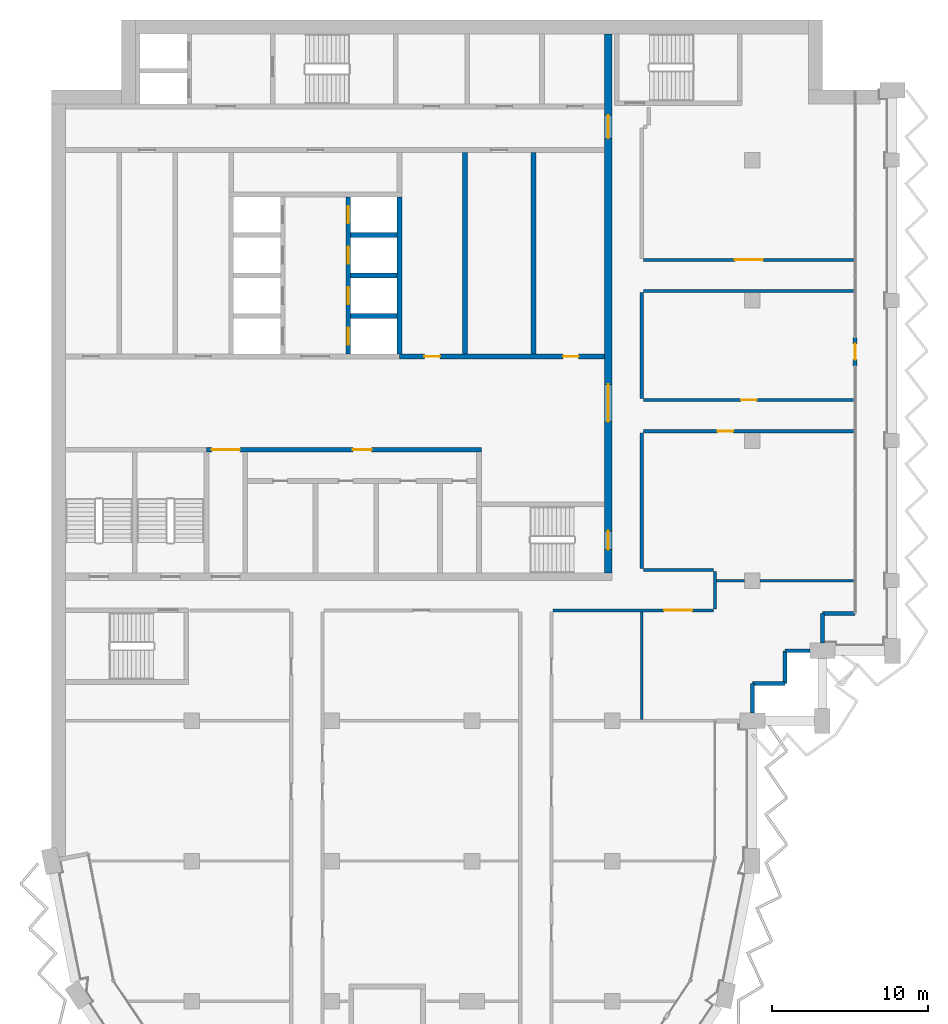
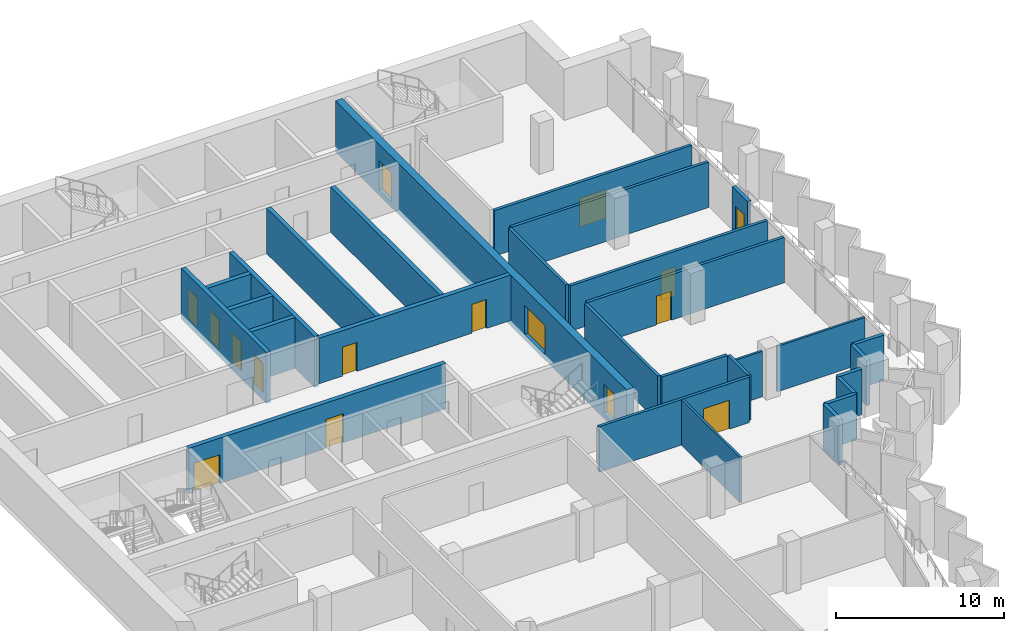
# One storey, part 9 of 16: 29 walls, 16 doors, 16 openings.
"""IFC4 building model written with IfcOpenShell, lengths in metres."""

from ifc_helpers import new_model, si_unit, direction, frame, frame_2d, origin, place, context, subcontext, project, spatial, rectangle, extrude, material, layer, layer_set, type_object, element, fill, save


model = new_model("IFC4")

# Units and contexts
model_context = context("Model", 3, precision=1e-05, world=origin(), true_north=direction((0.0, 1.0)))
body_context = subcontext(model_context, "Body", "Model", "MODEL_VIEW")
ifc_project = project(units=[si_unit("LENGTHUNIT", "METRE"), si_unit("AREAUNIT", "SQUARE_METRE"), si_unit("VOLUMEUNIT", "CUBIC_METRE"), si_unit("PLANEANGLEUNIT", "RADIAN"), si_unit("MASSUNIT", "GRAM", prefix="KILO")], contexts=[model_context])

# Site, building, storey
site_placement = place(None, origin())
site = spatial("IfcSite", under=ifc_project, at=site_placement, CompositionType="ELEMENT")
building_placement = place(site_placement, origin())
building = spatial("IfcBuilding", under=site, at=building_placement, Name="Hunhe Ridgeline Campus", CompositionType="ELEMENT")
storey_placement = place(building_placement, frame((0.0, 0.0, 242.89990234375)))
storey = spatial("IfcBuildingStorey", under=building, at=storey_placement, Name="L62", CompositionType="ELEMENT", Elevation=242.89990234375)

# Wall, openings, doors
ifc_material_1 = material(Name="Masonry concrete blockwork", Category="masonry")
ifc_layer_1 = layer(ifc_material_1, 0.300048828125)
ifc_layer_set_1 = layer_set([ifc_layer_1], Name="Core room partition 300 concrete block")
wall_type_1 = type_object("IfcWallType", Name="Core room partition 300 concrete block", PredefinedType="PARTITIONING", material=ifc_layer_set_1)
wall_1_placement = place(storey_placement, frame((9.949951171875, 71.39990234375, 0.0), z_axis=(0.0, 0.0, 1.0), x_axis=(1.0, 0.0, 0.0)))
wall_1 = element("IfcWall", 1, at=wall_1_placement, inside=storey, type_object=wall_type_1, Name="L62 core partition 9", PredefinedType="PARTITIONING", context=body_context, shape_type="SweptSolid", body=[
    extrude(rectangle(XDim=17.650146484375, YDim=0.300048828125, at=frame_2d((8.8251953125, 0.0))), origin(), (0.0, 0.0, 1.0), 3.300048828125),
])
opening_1_placement = place(wall_1_placement, frame((0.35009765625, 0.0, 0.0)))
opening_1 = element("IfcOpeningElement", 2, at=opening_1_placement, cuts=wall_1, Name="Opening CD7", PredefinedType="OPENING", context=body_context, shape_type="SweptSolid", body=[
    extrude(rectangle(XDim=1.800048828125, YDim=2.10009765625, at=frame_2d((0.89990234375, 1.050048828125))), frame((0.0, 0.14990234375, 0.0), z_axis=(0.0, -1.0, 0.0), x_axis=(1.0, 0.0, 0.0)), (0.0, 0.0, 1.0), 0.300048828125),
])
opening_2_placement = place(wall_1_placement, frame((9.39990234375, 0.0, 0.0)))
opening_2 = element("IfcOpeningElement", 3, at=opening_2_placement, cuts=wall_1, Name="Opening CD12", PredefinedType="OPENING", context=body_context, shape_type="SweptSolid", body=[
    extrude(rectangle(XDim=1.199951171875, YDim=2.10009765625, at=frame_2d((0.60009765625, 1.050048828125))), frame((0.0, 0.14990234375, 0.0), z_axis=(0.0, -1.0, 0.0), x_axis=(1.0, 0.0, 0.0)), (0.0, 0.0, 1.0), 0.300048828125),
])
ifc_material_2 = material(Name="Anodised aluminium and glass", Category="aluminium")
door_type_1 = type_object("IfcDoorType", Name="Glazed double door 1800x2100", OperationType="DOUBLE_DOOR_SINGLE_SWING", PredefinedType="DOOR", material=ifc_material_2)
door_1_placement = place(opening_1_placement, origin())
door_1 = element("IfcDoor", 4, at=door_1_placement, inside=storey, type_object=door_type_1, Name="L62 door VEST-HALL", OperationType="DOUBLE_DOOR_SINGLE_SWING", OverallHeight=2.10009765625, OverallWidth=1.800048828125, PredefinedType="DOOR", context=body_context, shape_type="SweptSolid", body=[
    extrude(rectangle(XDim=1.800048828125, YDim=2.10009765625, at=frame_2d((0.89990234375, 1.050048828125))), frame((0.0, 0.02490234375, 0.0), z_axis=(0.0, -1.0, 0.0), x_axis=(1.0, 0.0, 0.0)), (0.0, 0.0, 1.0), 0.050048828125),
])
fill(opening_1, door_1)
ifc_material_3 = material(Name="Solid core timber door leaf", Category="wood")
door_type_2 = type_object("IfcDoorType", Name="Timber door 1200x2100", OperationType="SINGLE_SWING_LEFT", PredefinedType="DOOR", material=ifc_material_3)
door_2_placement = place(opening_2_placement, origin())
door_2 = element("IfcDoor", 5, at=door_2_placement, inside=storey, type_object=door_type_2, Name="L62 door WCL2-HALL", OperationType="SINGLE_SWING_RIGHT", OverallHeight=2.10009765625, OverallWidth=1.199951171875, PredefinedType="DOOR", context=body_context, shape_type="SweptSolid", body=[
    extrude(rectangle(XDim=1.199951171875, YDim=2.10009765625, at=frame_2d((0.60009765625, 1.050048828125))), frame((0.0, 0.02490234375, 0.0), z_axis=(0.0, -1.0, 0.0), x_axis=(1.0, 0.0, 0.0)), (0.0, 0.0, 1.0), 0.050048828125),
])
fill(opening_2, door_2)

wall_2_placement = place(storey_placement, frame((22.35009765625, 77.39990234375, 0.0), z_axis=(0.0, 0.0, 1.0), x_axis=(1.0, 0.0, 0.0)))
wall_2 = element("IfcWall", 6, at=wall_2_placement, inside=storey, type_object=wall_type_1, Name="L62 core partition 11", PredefinedType="PARTITIONING", context=body_context, shape_type="SweptSolid", body=[
    extrude(rectangle(XDim=13.14990234375, YDim=0.300048828125, at=frame_2d((6.574951171875, 0.0))), origin(), (0.0, 0.0, 1.0), 3.300048828125),
])
opening_3_placement = place(wall_2_placement, frame((1.60009765625, 0.0, 0.0)))
opening_3 = element("IfcOpeningElement", 7, at=opening_3_placement, cuts=wall_2, Name="Opening CD32", PredefinedType="OPENING", context=body_context, shape_type="SweptSolid", body=[
    extrude(rectangle(XDim=1.0, YDim=2.10009765625, at=frame_2d((0.5, 1.050048828125))), frame((0.0, 0.14990234375, 0.0), z_axis=(0.0, -1.0, 0.0), x_axis=(1.0, 0.0, 0.0)), (0.0, 0.0, 1.0), 0.300048828125),
])
opening_4_placement = place(wall_2_placement, frame((10.5, 0.0, 0.0)))
opening_4 = element("IfcOpeningElement", 8, at=opening_4_placement, cuts=wall_2, Name="Opening CD42", PredefinedType="OPENING", context=body_context, shape_type="SweptSolid", body=[
    extrude(rectangle(XDim=1.0, YDim=2.10009765625, at=frame_2d((0.5, 1.050048828125))), frame((0.0, 0.14990234375, 0.0), z_axis=(0.0, -1.0, 0.0), x_axis=(1.0, 0.0, 0.0)), (0.0, 0.0, 1.0), 0.300048828125),
])
door_type_3 = type_object("IfcDoorType", Name="Timber door 1000x2100", OperationType="SINGLE_SWING_LEFT", PredefinedType="DOOR", material=ifc_material_3)
door_3_placement = place(opening_3_placement, origin())
door_3 = element("IfcDoor", 9, at=door_3_placement, inside=storey, type_object=door_type_3, Name="L62 door ES0", OperationType="SINGLE_SWING_RIGHT", OverallHeight=2.10009765625, OverallWidth=1.0, PredefinedType="DOOR", context=body_context, shape_type="SweptSolid", body=[
    extrude(rectangle(XDim=1.0, YDim=2.10009765625, at=frame_2d((0.5, 1.050048828125))), frame((0.0, 0.02490234375, 0.0), z_axis=(0.0, -1.0, 0.0), x_axis=(1.0, 0.0, 0.0)), (0.0, 0.0, 1.0), 0.050048828125),
])
fill(opening_3, door_3)
door_4_placement = place(opening_4_placement, origin())
door_4 = element("IfcDoor", 10, at=door_4_placement, inside=storey, type_object=door_type_3, Name="L62 door ES2", OperationType="SINGLE_SWING_RIGHT", OverallHeight=2.10009765625, OverallWidth=1.0, PredefinedType="DOOR", context=body_context, shape_type="SweptSolid", body=[
    extrude(rectangle(XDim=1.0, YDim=2.10009765625, at=frame_2d((0.5, 1.050048828125))), frame((0.0, 0.02490234375, 0.0), z_axis=(0.0, -1.0, 0.0), x_axis=(1.0, 0.0, 0.0)), (0.0, 0.0, 1.0), 0.050048828125),
])
fill(opening_4, door_4)

# Walls
for number, where, z_axis, x_axis, name in (
    (11, (26.550048828125, 77.550048828125, 0.0), (0.0, 0.0, 1.0), (0.0, 1.0, 0.0), "L62 core partition 44"),
    (12, (30.949951171875, 77.550048828125, 0.0), (0.0, 0.0, 1.0), (0.0, 1.0, 0.0), "L62 core partition 48"),
):
    element("IfcWall", number, at=place(storey_placement, frame(where, z_axis=z_axis, x_axis=x_axis)), inside=storey, type_object=wall_type_1, Name=name, PredefinedType="PARTITIONING", context=body_context, shape_type="SweptSolid", body=[
        extrude(rectangle(XDim=12.949951171875, YDim=0.300048828125, at=frame_2d((6.47509765625, 0.0))), origin(), (0.0, 0.0, 1.0), 3.300048828125),
    ])

# Wall, openings, doors
ifc_material_4 = material(Name="Concrete C50", Category="concrete")
ifc_layer_2 = layer(ifc_material_4, 0.5)
ifc_layer_set_2 = layer_set([ifc_layer_2], Name="Core wall 500 reinforced concrete C50")
wall_type_2 = type_object("IfcWallType", Name="Core wall 500 reinforced concrete C50", PredefinedType="SOLIDWALL", material=ifc_layer_set_2)
wall_3_placement = place(storey_placement, frame((35.75, 63.5, -0.39990234375), z_axis=(0.0, 0.0, 1.0), x_axis=(0.0, 1.0, 0.0)))
wall_3 = element("IfcWall", 13, at=wall_3_placement, inside=storey, type_object=wall_type_2, Name="L62 core wall 50", PredefinedType="SOLIDWALL", context=body_context, shape_type="SweptSolid", body=[
    extrude(rectangle(XDim=34.60009765625, YDim=0.5, at=frame_2d((17.300048828125, 0.0))), origin(), (0.0, 0.0, 1.0), 3.699951171875),
])
opening_5_placement = place(wall_3_placement, frame((9.699951171875, 0.0, 0.39990234375)))
opening_5 = element("IfcOpeningElement", 14, at=opening_5_placement, cuts=wall_3, Name="Opening CD4", PredefinedType="OPENING", context=body_context, shape_type="SweptSolid", body=[
    extrude(rectangle(XDim=2.39990234375, YDim=2.10009765625, at=frame_2d((1.199951171875, 1.050048828125))), frame((0.0, 0.25, 0.0), z_axis=(0.0, -1.0, 0.0), x_axis=(1.0, 0.0, 0.0)), (0.0, 0.0, 1.0), 0.5),
])
opening_6_placement = place(wall_3_placement, frame((27.89990234375, 0.0, 0.39990234375)))
opening_6 = element("IfcOpeningElement", 15, at=opening_6_placement, cuts=wall_3, Name="Opening CD5", PredefinedType="OPENING", context=body_context, shape_type="SweptSolid", body=[
    extrude(rectangle(XDim=1.5, YDim=2.10009765625, at=frame_2d((0.75, 1.050048828125))), frame((0.0, 0.25, 0.0), z_axis=(0.0, -1.0, 0.0), x_axis=(1.0, 0.0, 0.0)), (0.0, 0.0, 1.0), 0.5),
])
opening_7_placement = place(wall_3_placement, frame((1.5, 0.0, 0.39990234375)))
opening_7 = element("IfcOpeningElement", 16, at=opening_7_placement, cuts=wall_3, Name="Opening CD15", PredefinedType="OPENING", context=body_context, shape_type="SweptSolid", body=[
    extrude(rectangle(XDim=1.199951171875, YDim=2.10009765625, at=frame_2d((0.60009765625, 1.050048828125))), frame((0.0, 0.25, 0.0), z_axis=(0.0, -1.0, 0.0), x_axis=(1.0, 0.0, 0.0)), (0.0, 0.0, 1.0), 0.5),
])
door_type_4 = type_object("IfcDoorType", Name="Glazed double door 2400x2100", OperationType="DOUBLE_DOOR_SINGLE_SWING", PredefinedType="DOOR", material=ifc_material_2)
door_5_placement = place(opening_5_placement, frame((2.39990234375, 0.0, 0.0), z_axis=(0.0, 0.0, 1.0), x_axis=(-1.0, 0.0, 0.0)))
door_5 = element("IfcDoor", 17, at=door_5_placement, inside=storey, type_object=door_type_4, Name="L62 door HALL-FLOOR", OperationType="DOUBLE_DOOR_SINGLE_SWING", OverallHeight=2.10009765625, OverallWidth=2.39990234375, PredefinedType="DOOR", context=body_context, shape_type="SweptSolid", body=[
    extrude(rectangle(XDim=2.39990234375, YDim=2.10009765625, at=frame_2d((1.199951171875, 1.050048828125))), frame((0.0, 0.02490234375, 0.0), z_axis=(0.0, -1.0, 0.0), x_axis=(1.0, 0.0, 0.0)), (0.0, 0.0, 1.0), 0.050048828125),
])
fill(opening_5, door_5)
ifc_material_5 = material(Name="Hollow metal fire door leaf")
door_type_5 = type_object("IfcDoorType", Name="Stair door 1200x2100 FD60", OperationType="SINGLE_SWING_LEFT", PredefinedType="DOOR", material=ifc_material_5)
door_6_placement = place(opening_7_placement, frame((1.199951171875, 0.0, 0.0), z_axis=(0.0, 0.0, 1.0), x_axis=(-1.0, 0.0, 0.0)))
door_6 = element("IfcDoor", 18, at=door_6_placement, inside=storey, type_object=door_type_5, Name="L62 door S2-FLOOR", OperationType="SINGLE_SWING_LEFT", OverallHeight=2.10009765625, OverallWidth=1.199951171875, PredefinedType="DOOR", context=body_context, shape_type="SweptSolid", body=[
    extrude(rectangle(XDim=1.199951171875, YDim=2.10009765625, at=frame_2d((0.60009765625, 1.050048828125))), frame((0.0, 0.02490234375, 0.0), z_axis=(0.0, -1.0, 0.0), x_axis=(1.0, 0.0, 0.0)), (0.0, 0.0, 1.0), 0.050048828125),
])
fill(opening_7, door_6)
door_type_6 = type_object("IfcDoorType", Name="Timber door 1500x2100", OperationType="SINGLE_SWING_LEFT", PredefinedType="DOOR", material=ifc_material_3)
door_7_placement = place(opening_6_placement, frame((1.5, 0.0, 0.0), z_axis=(0.0, 0.0, 1.0), x_axis=(-1.0, 0.0, 0.0)))
door_7 = element("IfcDoor", 19, at=door_7_placement, inside=storey, type_object=door_type_6, Name="L62 door C1-FLOOR", OperationType="SINGLE_SWING_LEFT", OverallHeight=2.10009765625, OverallWidth=1.5, PredefinedType="DOOR", context=body_context, shape_type="SweptSolid", body=[
    extrude(rectangle(XDim=1.5, YDim=2.10009765625, at=frame_2d((0.75, 1.050048828125))), frame((0.0, 0.02490234375, 0.0), z_axis=(0.0, -1.0, 0.0), x_axis=(1.0, 0.0, 0.0)), (0.0, 0.0, 1.0), 0.050048828125),
])
fill(opening_6, door_7)

# Walls
ifc_material_6 = material(Name="Concrete C30", Category="concrete")
ifc_layer_3 = layer(ifc_material_6, 0.25)
ifc_layer_set_3 = layer_set([ifc_layer_3], Name="Corner return wall 250 Concrete C30")
wall_type_3 = type_object("IfcWallType", Name="Corner return wall 250 Concrete C30", PredefinedType="SOLIDWALL", material=ifc_layer_set_3)
wall_4_placement = place(storey_placement, frame((44.9990234375, 54.5, 0.0), z_axis=(0.0, 0.0, 1.0), x_axis=(0.000128452151, 0.99999999175, 0.0)))
element("IfcWall", 20, at=wall_4_placement, inside=storey, type_object=wall_type_3, Name="Corner return wall 3", PredefinedType="SOLIDWALL", context=body_context, shape_type="SweptSolid", body=[
    extrude(rectangle(XDim=1.900634765625, YDim=0.25, at=frame_2d((0.9501953125, 0.0))), origin(), (0.0, 0.0, 1.0), 3.300048828125),
])
wall_5_placement = place(storey_placement, frame((44.999267578125, 56.400634765625, 0.0), z_axis=(0.0, 0.0, 1.0), x_axis=(0.999999993241, 0.00011626555, 0.0)))
element("IfcWall", 21, at=wall_5_placement, inside=storey, type_object=wall_type_3, Name="Corner return wall 4", PredefinedType="SOLIDWALL", context=body_context, shape_type="SweptSolid", body=[
    extrude(rectangle(XDim=2.099853515625, YDim=0.25, at=frame_2d((1.0498046875, 0.0))), origin(), (0.0, 0.0, 1.0), 3.300048828125),
])
wall_6_placement = place(storey_placement, frame((47.09912109375, 56.40087890625, 0.0), z_axis=(0.0, 0.0, 1.0), x_axis=(0.000232504063, 0.999999972971, 0.0)))
element("IfcWall", 22, at=wall_6_placement, inside=storey, type_object=wall_type_3, Name="Corner return wall 5", PredefinedType="SOLIDWALL", context=body_context, shape_type="SweptSolid", body=[
    extrude(rectangle(XDim=2.10009765625, YDim=0.25, at=frame_2d((1.050048828125, 0.0))), origin(), (0.0, 0.0, 1.0), 3.300048828125),
])
wall_7_placement = place(storey_placement, frame((47.099609375, 58.5009765625, 0.0), z_axis=(0.0, 0.0, 1.0), x_axis=(1.0, 0.0, 0.0)))
element("IfcWall", 23, at=wall_7_placement, inside=storey, type_object=wall_type_3, Name="Corner return wall 6", PredefinedType="SOLIDWALL", context=body_context, shape_type="SweptSolid", body=[
    extrude(rectangle(XDim=1.600341796875, YDim=0.25, at=frame_2d((0.80029296875, 0.0))), origin(), (0.0, 0.0, 1.0), 3.300048828125),
])
wall_8_placement = place(storey_placement, frame((49.4990234375, 59.0, 0.0), z_axis=(0.0, 0.0, 1.0), x_axis=(0.000256871299, 0.999999967009, 0.0)))
element("IfcWall", 24, at=wall_8_placement, inside=storey, type_object=wall_type_3, Name="Corner return wall 7", PredefinedType="SOLIDWALL", context=body_context, shape_type="SweptSolid", body=[
    extrude(rectangle(XDim=1.90087890625, YDim=0.25, at=frame_2d((0.950439453125, 0.0))), origin(), (0.0, 0.0, 1.0), 3.300048828125),
])
wall_9_placement = place(storey_placement, frame((49.49951171875, 60.90087890625, 0.0), z_axis=(0.0, 0.0, 1.0), x_axis=(1.0, 0.0, 0.0)))
element("IfcWall", 25, at=wall_9_placement, inside=storey, type_object=wall_type_3, Name="Corner return wall 8", PredefinedType="SOLIDWALL", context=body_context, shape_type="SweptSolid", body=[
    extrude(rectangle(XDim=2.099609375, YDim=0.25, at=frame_2d((1.0498046875, 0.0))), origin(), (0.0, 0.0, 1.0), 3.300048828125),
])

# Wall, opening, door
ifc_material_7 = material(Name="Gypsum board partition")
ifc_layer_4 = layer(ifc_material_7, 0.199951171875)
ifc_layer_set_4 = layer_set([ifc_layer_4], Name="Corridor partition 200 gypsum board on steel studs")
wall_type_4 = type_object("IfcWallType", Name="Corridor partition 200 gypsum board on steel studs", PredefinedType="PARTITIONING", material=ifc_layer_set_4)
wall_10_placement = place(storey_placement, frame((42.5, 61.10009765625, 0.0), z_axis=(0.0, 0.0, 1.0), x_axis=(-1.0, 0.0, 0.0)))
wall_10 = element("IfcWall", 26, at=wall_10_placement, inside=storey, type_object=wall_type_4, Name="F-L62-wall-024", PredefinedType="PARTITIONING", context=body_context, shape_type="SweptSolid", body=[
    extrude(rectangle(XDim=10.300048828125, YDim=0.199951171875, at=frame_2d((5.14990234375, 0.0))), origin(), (0.0, 0.0, 1.0), 3.300048828125),
])
opening_8_placement = place(wall_10_placement, frame((1.361083984375, 0.0, 0.0)))
opening_8 = element("IfcOpeningElement", 27, at=opening_8_placement, cuts=wall_10, Name="Opening RD2-016", PredefinedType="OPENING", context=body_context, shape_type="SweptSolid", body=[
    extrude(rectangle(XDim=1.800048828125, YDim=2.10009765625, at=frame_2d((0.89990234375, 1.050048828125))), frame((0.0, 0.10009765625, 0.0), z_axis=(0.0, -1.0, 0.0), x_axis=(1.0, 0.0, 0.0)), (0.0, 0.0, 1.0), 0.199951171875),
])
ifc_material_8 = material(Name="Timber door leaf", Category="wood")
door_type_7 = type_object("IfcDoorType", Name="Double fire door 1800x2100 timber FD60", OperationType="DOUBLE_DOOR_SINGLE_SWING", PredefinedType="DOOR", material=ifc_material_8)
door_8_placement = place(opening_8_placement, origin())
door_8 = element("IfcDoor", 28, at=door_8_placement, inside=storey, type_object=door_type_7, Name="F-L62-door-016", OperationType="DOUBLE_DOOR_SINGLE_SWING", OverallHeight=2.10009765625, OverallWidth=1.800048828125, PredefinedType="DOOR", context=body_context, shape_type="SweptSolid", body=[
    extrude(rectangle(XDim=1.800048828125, YDim=2.10009765625, at=frame_2d((0.89990234375, 1.050048828125))), frame((0.0, 0.02490234375, 0.0), z_axis=(0.0, -1.0, 0.0), x_axis=(1.0, 0.0, 0.0)), (0.0, 0.0, 1.0), 0.050048828125),
])
fill(opening_8, door_8)

# Wall
wall_11_placement = place(storey_placement, frame((38.0, 63.699951171875, 0.0), z_axis=(0.0, 0.0, 1.0), x_axis=(1.0, 0.0, 0.0)))
element("IfcWall", 29, at=wall_11_placement, inside=storey, type_object=wall_type_4, Name="F-L62-wall-027", PredefinedType="PARTITIONING", context=body_context, shape_type="SweptSolid", body=[
    extrude(rectangle(XDim=4.5, YDim=0.199951171875, at=frame_2d((2.25, 0.0))), origin(), (0.0, 0.0, 1.0), 3.300048828125),
])

# Wall, opening, door
wall_12_placement = place(storey_placement, frame((51.544921875, 72.60009765625, 0.0), z_axis=(0.0, 0.0, 1.0), x_axis=(-1.0, 0.0, 0.0)))
wall_12 = element("IfcWall", 30, at=wall_12_placement, inside=storey, type_object=wall_type_4, Name="F-L62-wall-028", PredefinedType="PARTITIONING", context=body_context, shape_type="SweptSolid", body=[
    extrude(rectangle(XDim=13.544921875, YDim=0.199951171875, at=frame_2d((6.7724609375, 0.0))), origin(), (0.0, 0.0, 1.0), 3.300048828125),
])
opening_9_placement = place(wall_12_placement, frame((7.7724609375, 0.0, 0.0)))
opening_9 = element("IfcOpeningElement", 31, at=opening_9_placement, cuts=wall_12, Name="Opening RD1-017", PredefinedType="OPENING", context=body_context, shape_type="SweptSolid", body=[
    extrude(rectangle(XDim=1.0, YDim=2.10009765625, at=frame_2d((0.5, 1.050048828125))), frame((0.0, 0.10009765625, 0.0), z_axis=(0.0, -1.0, 0.0), x_axis=(1.0, 0.0, 0.0)), (0.0, 0.0, 1.0), 0.199951171875),
])
door_type_8 = type_object("IfcDoorType", Name="Single fire door 1000x2100 timber FD60", OperationType="NOTDEFINED", PredefinedType="DOOR", material=ifc_material_8)
door_9_placement = place(opening_9_placement, origin())
door_9 = element("IfcDoor", 32, at=door_9_placement, inside=storey, type_object=door_type_8, Name="F-L62-door-017", OperationType="SINGLE_SWING_RIGHT", OverallHeight=2.10009765625, OverallWidth=1.0, PredefinedType="DOOR", context=body_context, shape_type="SweptSolid", body=[
    extrude(rectangle(XDim=1.0, YDim=2.10009765625, at=frame_2d((0.5, 1.050048828125))), frame((0.0, 0.02490234375, 0.0), z_axis=(0.0, -1.0, 0.0), x_axis=(1.0, 0.0, 0.0)), (0.0, 0.0, 1.0), 0.050048828125),
])
fill(opening_9, door_9)

wall_13_placement = place(storey_placement, frame((38.0, 74.60009765625, 0.0), z_axis=(0.0, 0.0, 1.0), x_axis=(1.0, 0.0, 0.0)))
wall_13 = element("IfcWall", 33, at=wall_13_placement, inside=storey, type_object=wall_type_4, Name="F-L62-wall-029", PredefinedType="PARTITIONING", context=body_context, shape_type="SweptSolid", body=[
    extrude(rectangle(XDim=13.544921875, YDim=0.199951171875, at=frame_2d((6.7724609375, 0.0))), origin(), (0.0, 0.0, 1.0), 3.300048828125),
])
opening_10_placement = place(wall_13_placement, frame((6.2724609375, 0.0, 0.0)))
opening_10 = element("IfcOpeningElement", 34, at=opening_10_placement, cuts=wall_13, Name="Opening RD1-018", PredefinedType="OPENING", context=body_context, shape_type="SweptSolid", body=[
    extrude(rectangle(XDim=1.0, YDim=2.10009765625, at=frame_2d((0.5, 1.050048828125))), frame((0.0, 0.10009765625, 0.0), z_axis=(0.0, -1.0, 0.0), x_axis=(1.0, 0.0, 0.0)), (0.0, 0.0, 1.0), 0.199951171875),
])
door_10_placement = place(opening_10_placement, origin())
door_10 = element("IfcDoor", 35, at=door_10_placement, inside=storey, type_object=door_type_8, Name="F-L62-door-018", OperationType="SINGLE_SWING_RIGHT", OverallHeight=2.10009765625, OverallWidth=1.0, PredefinedType="DOOR", context=body_context, shape_type="SweptSolid", body=[
    extrude(rectangle(XDim=1.0, YDim=2.10009765625, at=frame_2d((0.5, 1.050048828125))), frame((0.0, 0.02490234375, 0.0), z_axis=(0.0, -1.0, 0.0), x_axis=(1.0, 0.0, 0.0)), (0.0, 0.0, 1.0), 0.050048828125),
])
fill(opening_10, door_10)

# Wall
wall_14_placement = place(storey_placement, frame((51.544921875, 81.60009765625, 0.0), z_axis=(0.0, 0.0, 1.0), x_axis=(-1.0, 0.0, 0.0)))
element("IfcWall", 36, at=wall_14_placement, inside=storey, type_object=wall_type_4, Name="F-L62-wall-030", PredefinedType="PARTITIONING", context=body_context, shape_type="SweptSolid", body=[
    extrude(rectangle(XDim=13.544921875, YDim=0.199951171875, at=frame_2d((6.7724609375, 0.0))), origin(), (0.0, 0.0, 1.0), 3.300048828125),
])

# Wall, opening, door
wall_15_placement = place(storey_placement, frame((38.0, 83.60009765625, 0.0), z_axis=(0.0, 0.0, 1.0), x_axis=(1.0, 0.0, 0.0)))
wall_15 = element("IfcWall", 37, at=wall_15_placement, inside=storey, type_object=wall_type_4, Name="F-L62-wall-031", PredefinedType="PARTITIONING", context=body_context, shape_type="SweptSolid", body=[
    extrude(rectangle(XDim=13.544921875, YDim=0.199951171875, at=frame_2d((6.7724609375, 0.0))), origin(), (0.0, 0.0, 1.0), 3.300048828125),
])
opening_11_placement = place(wall_15_placement, frame((5.87255859375, 0.0, 0.0)))
opening_11 = element("IfcOpeningElement", 38, at=opening_11_placement, cuts=wall_15, Name="Opening RD2-019", PredefinedType="OPENING", context=body_context, shape_type="SweptSolid", body=[
    extrude(rectangle(XDim=1.800048828125, YDim=2.10009765625, at=frame_2d((0.89990234375, 1.050048828125))), frame((0.0, 0.10009765625, 0.0), z_axis=(0.0, -1.0, 0.0), x_axis=(1.0, 0.0, 0.0)), (0.0, 0.0, 1.0), 0.199951171875),
])
door_11_placement = place(opening_11_placement, origin())
door_11 = element("IfcDoor", 39, at=door_11_placement, inside=storey, type_object=door_type_7, Name="F-L62-door-019", OperationType="DOUBLE_DOOR_SINGLE_SWING", OverallHeight=2.10009765625, OverallWidth=1.800048828125, PredefinedType="DOOR", context=body_context, shape_type="SweptSolid", body=[
    extrude(rectangle(XDim=1.800048828125, YDim=2.10009765625, at=frame_2d((0.89990234375, 1.050048828125))), frame((0.0, 0.02490234375, 0.0), z_axis=(0.0, -1.0, 0.0), x_axis=(1.0, 0.0, 0.0)), (0.0, 0.0, 1.0), 0.050048828125),
])
fill(opening_11, door_11)

# Walls
wall_16_placement = place(storey_placement, frame((37.89990234375, 72.5, 0.0), z_axis=(0.0, 0.0, 1.0), x_axis=(0.0, -1.0, 0.0)))
element("IfcWall", 40, at=wall_16_placement, inside=storey, type_object=wall_type_4, Name="F-L62-wall-039", PredefinedType="PARTITIONING", context=body_context, shape_type="SweptSolid", body=[
    extrude(rectangle(XDim=8.699951171875, YDim=0.199951171875, at=frame_2d((4.35009765625, 0.0))), origin(), (0.0, 0.0, 1.0), 3.300048828125),
])
wall_17_placement = place(storey_placement, frame((37.89990234375, 81.5, 0.0), z_axis=(0.0, 0.0, 1.0), x_axis=(0.0, -1.0, 0.0)))
element("IfcWall", 41, at=wall_17_placement, inside=storey, type_object=wall_type_4, Name="F-L62-wall-040", PredefinedType="PARTITIONING", context=body_context, shape_type="SweptSolid", body=[
    extrude(rectangle(XDim=6.800048828125, YDim=0.199951171875, at=frame_2d((3.39990234375, 0.0))), origin(), (0.0, 0.0, 1.0), 3.300048828125),
])
wall_18_placement = place(storey_placement, frame((42.60009765625, 63.60009765625, 0.0), z_axis=(0.0, 0.0, 1.0), x_axis=(0.0, -1.0, 0.0)))
element("IfcWall", 42, at=wall_18_placement, inside=storey, type_object=wall_type_4, Name="F-L62-wall-043", PredefinedType="PARTITIONING", context=body_context, shape_type="SweptSolid", body=[
    extrude(rectangle(XDim=2.400146484375, YDim=0.199951171875, at=frame_2d((1.2001953125, 0.0))), origin(), (0.0, 0.0, 1.0), 3.300048828125),
])

# Wall, opening, door
ifc_layer_5 = layer(ifc_material_6, 0.25)
ifc_layer_set_5 = layer_set([ifc_layer_5], Name="Loggia door pier wall 250 Concrete C30")
wall_type_5 = type_object("IfcWallType", Name="Loggia door pier wall 250 Concrete C30", PredefinedType="SOLIDWALL", material=ifc_layer_set_5)
wall_19_placement = place(storey_placement, frame((51.59912109375, 76.800537109375, 0.0), z_axis=(0.0, 0.0, 1.0), x_axis=(0.0, 1.0, 0.0)))
wall_19 = element("IfcWall", 43, at=wall_19_placement, inside=storey, type_object=wall_type_5, Name="Loggia door pier 3", PredefinedType="SOLIDWALL", context=body_context, shape_type="SweptSolid", body=[
    extrude(rectangle(XDim=1.800048828125, YDim=0.25, at=frame_2d((0.89990234375, 0.0))), origin(), (0.0, 0.0, 1.0), 3.300048828125),
])
opening_12_placement = place(wall_19_placement, frame((0.39990234375, 0.0, 0.0)))
opening_12 = element("IfcOpeningElement", 44, at=opening_12_placement, cuts=wall_19, Name="Opening BD506", PredefinedType="OPENING", context=body_context, shape_type="SweptSolid", body=[
    extrude(rectangle(XDim=1.0, YDim=2.10009765625, at=frame_2d((0.5, 1.050048828125))), frame((0.0, 0.125, 0.0), z_axis=(0.0, -1.0, 0.0), x_axis=(1.0, 0.0, 0.0)), (0.0, 0.0, 1.0), 0.25),
])
ifc_material_9 = material(Name="Aluminium 6063", Category="aluminium")
door_type_9 = type_object("IfcDoorType", Name="Loggia glazed door 1000x2100", OperationType="NOTDEFINED", PredefinedType="DOOR", material=ifc_material_9)
door_12_placement = place(opening_12_placement, frame((1.0, 0.0, 0.0), z_axis=(0.0, 0.0, 1.0), x_axis=(-1.0, 0.0, 0.0)))
door_12 = element("IfcDoor", 45, at=door_12_placement, inside=storey, type_object=door_type_9, Name="Loggia door BD506", OperationType="SINGLE_SWING_LEFT", OverallHeight=2.10009765625, OverallWidth=1.0, PredefinedType="DOOR", context=body_context, shape_type="SweptSolid", body=[
    extrude(rectangle(XDim=1.0, YDim=2.10009765625, at=frame_2d((0.5, 1.050048828125))), frame((0.0, 0.02490234375, 0.0), z_axis=(0.0, -1.0, 0.0), x_axis=(1.0, 0.0, 0.0)), (0.0, 0.0, 1.0), 0.050048828125),
])
fill(opening_12, door_12)

# Walls
ifc_layer_6 = layer(ifc_material_7, 0.14990234375)
ifc_layer_set_6 = layer_set([ifc_layer_6], Name="Room partition 150 gypsum board on steel studs")
wall_type_6 = type_object("IfcWallType", Name="Room partition 150 gypsum board on steel studs", PredefinedType="PARTITIONING", material=ifc_layer_set_6)
wall_20_placement = place(storey_placement, frame((42.699951171875, 63.0, 0.0), z_axis=(0.0, 0.0, 1.0), x_axis=(1.0, 0.0, 0.0)))
element("IfcWall", 46, at=wall_20_placement, inside=storey, type_object=wall_type_6, Name="F-L62-wall-025", PredefinedType="PARTITIONING", context=body_context, shape_type="SweptSolid", body=[
    extrude(rectangle(XDim=1.800048828125, YDim=0.14990234375, at=frame_2d((0.89990234375, 0.0))), origin(), (0.0, 0.0, 1.0), 3.300048828125),
])
wall_21_placement = place(storey_placement, frame((45.5, 63.0, 0.0), z_axis=(0.0, 0.0, 1.0), x_axis=(1.0, 0.0, 0.0)))
element("IfcWall", 47, at=wall_21_placement, inside=storey, type_object=wall_type_6, Name="F-L62-wall-026", PredefinedType="PARTITIONING", context=body_context, shape_type="SweptSolid", body=[
    extrude(rectangle(XDim=6.044921875, YDim=0.14990234375, at=frame_2d((3.0224609375, 0.0))), origin(), (0.0, 0.0, 1.0), 3.300048828125),
])
wall_22_placement = place(storey_placement, frame((37.89990234375, 61.0, 0.0), z_axis=(0.0, 0.0, 1.0), x_axis=(0.0, -1.0, 0.0)))
element("IfcWall", 48, at=wall_22_placement, inside=storey, type_object=wall_type_6, Name="F-L62-wall-038", PredefinedType="PARTITIONING", context=body_context, shape_type="SweptSolid", body=[
    extrude(rectangle(XDim=6.925048828125, YDim=0.14990234375, at=frame_2d((3.46240234375, 0.0))), origin(), (0.0, 0.0, 1.0), 3.300048828125),
])
ifc_layer_7 = layer(ifc_material_4, 0.300048828125)
ifc_layer_set_7 = layer_set([ifc_layer_7], Name="Shaft wall 300 reinforced concrete C50")
wall_type_7 = type_object("IfcWallType", Name="Shaft wall 300 reinforced concrete C50", PredefinedType="SOLIDWALL", material=ifc_layer_set_7)
for number, where, z_axis, x_axis, name in (
    (49, (19.199951171875, 80.0, -0.39990234375), (0.0, 0.0, 1.0), (1.0, 0.0, 0.0), "L62 core wall 13"),
    (50, (19.199951171875, 82.60009765625, -0.39990234375), (0.0, 0.0, 1.0), (1.0, 0.0, 0.0), "L62 core wall 15"),
    (51, (19.199951171875, 85.199951171875, -0.39990234375), (0.0, 0.0, 1.0), (1.0, 0.0, 0.0), "L62 core wall 17"),
):
    element("IfcWall", number, at=place(storey_placement, frame(where, z_axis=z_axis, x_axis=x_axis)), inside=storey, type_object=wall_type_7, Name=name, PredefinedType="SOLIDWALL", context=body_context, shape_type="SweptSolid", body=[
        extrude(rectangle(XDim=3.0, YDim=0.300048828125, at=frame_2d((1.5, 0.0))), origin(), (0.0, 0.0, 1.0), 3.699951171875),
    ])

# Wall, openings, doors
wall_23_placement = place(storey_placement, frame((19.050048828125, 77.550048828125, -0.39990234375), z_axis=(0.0, 0.0, 1.0), x_axis=(0.0, 1.0, 0.0)))
wall_23 = element("IfcWall", 52, at=wall_23_placement, inside=storey, type_object=wall_type_7, Name="L62 core wall 36", PredefinedType="SOLIDWALL", context=body_context, shape_type="SweptSolid", body=[
    extrude(rectangle(XDim=10.099853515625, YDim=0.300048828125, at=frame_2d((5.0498046875, 0.0))), origin(), (0.0, 0.0, 1.0), 3.699951171875),
])
opening_13_placement = place(wall_23_placement, frame((0.60009765625, 0.0, 0.39990234375)))
opening_13 = element("IfcOpeningElement", 53, at=opening_13_placement, cuts=wall_23, Name="Opening LD-HR5", PredefinedType="OPENING", context=body_context, shape_type="SweptSolid", body=[
    extrude(rectangle(XDim=1.10009765625, YDim=2.10009765625, at=frame_2d((0.550048828125, 1.050048828125))), frame((0.0, 0.14990234375, 0.0), z_axis=(0.0, -1.0, 0.0), x_axis=(1.0, 0.0, 0.0)), (0.0, 0.0, 1.0), 0.300048828125),
])
opening_14_placement = place(wall_23_placement, frame((3.199951171875, 0.0, 0.39990234375)))
opening_14 = element("IfcOpeningElement", 54, at=opening_14_placement, cuts=wall_23, Name="Opening LD-HR6", PredefinedType="OPENING", context=body_context, shape_type="SweptSolid", body=[
    extrude(rectangle(XDim=1.10009765625, YDim=2.10009765625, at=frame_2d((0.550048828125, 1.050048828125))), frame((0.0, 0.14990234375, 0.0), z_axis=(0.0, -1.0, 0.0), x_axis=(1.0, 0.0, 0.0)), (0.0, 0.0, 1.0), 0.300048828125),
])
opening_15_placement = place(wall_23_placement, frame((5.800048828125, 0.0, 0.39990234375)))
opening_15 = element("IfcOpeningElement", 55, at=opening_15_placement, cuts=wall_23, Name="Opening LD-HR7", PredefinedType="OPENING", context=body_context, shape_type="SweptSolid", body=[
    extrude(rectangle(XDim=1.10009765625, YDim=2.10009765625, at=frame_2d((0.550048828125, 1.050048828125))), frame((0.0, 0.14990234375, 0.0), z_axis=(0.0, -1.0, 0.0), x_axis=(1.0, 0.0, 0.0)), (0.0, 0.0, 1.0), 0.300048828125),
])
opening_16_placement = place(wall_23_placement, frame((8.39990234375, 0.0, 0.39990234375)))
opening_16 = element("IfcOpeningElement", 56, at=opening_16_placement, cuts=wall_23, Name="Opening LD-HR8", PredefinedType="OPENING", context=body_context, shape_type="SweptSolid", body=[
    extrude(rectangle(XDim=1.10009765625, YDim=2.10009765625, at=frame_2d((0.550048828125, 1.050048828125))), frame((0.0, 0.14990234375, 0.0), z_axis=(0.0, -1.0, 0.0), x_axis=(1.0, 0.0, 0.0)), (0.0, 0.0, 1.0), 0.300048828125),
])
ifc_material_10 = material(Name="Stainless steel sliding leaves", Category="steel")
door_type_10 = type_object("IfcDoorType", Name="Landing door 1100x2100 FD120", OperationType="SLIDING_TO_LEFT", PredefinedType="DOOR", material=ifc_material_10)
door_13_placement = place(opening_13_placement, origin())
door_13 = element("IfcDoor", 57, at=door_13_placement, inside=storey, type_object=door_type_10, Name="L62 landing door HR5", OperationType="SLIDING_TO_RIGHT", OverallHeight=2.10009765625, OverallWidth=1.10009765625, PredefinedType="DOOR", context=body_context, shape_type="SweptSolid", body=[
    extrude(rectangle(XDim=1.10009765625, YDim=2.10009765625, at=frame_2d((0.550048828125, 1.050048828125))), frame((0.0, 0.02490234375, 0.0), z_axis=(0.0, -1.0, 0.0), x_axis=(1.0, 0.0, 0.0)), (0.0, 0.0, 1.0), 0.050048828125),
])
fill(opening_13, door_13)
door_14_placement = place(opening_14_placement, origin())
door_14 = element("IfcDoor", 58, at=door_14_placement, inside=storey, type_object=door_type_10, Name="L62 landing door HR6", OperationType="SLIDING_TO_LEFT", OverallHeight=2.10009765625, OverallWidth=1.10009765625, PredefinedType="DOOR", context=body_context, shape_type="SweptSolid", body=[
    extrude(rectangle(XDim=1.10009765625, YDim=2.10009765625, at=frame_2d((0.550048828125, 1.050048828125))), frame((0.0, 0.02490234375, 0.0), z_axis=(0.0, -1.0, 0.0), x_axis=(1.0, 0.0, 0.0)), (0.0, 0.0, 1.0), 0.050048828125),
])
fill(opening_14, door_14)
door_15_placement = place(opening_15_placement, origin())
door_15 = element("IfcDoor", 59, at=door_15_placement, inside=storey, type_object=door_type_10, Name="L62 landing door HR7", OperationType="SLIDING_TO_RIGHT", OverallHeight=2.10009765625, OverallWidth=1.10009765625, PredefinedType="DOOR", context=body_context, shape_type="SweptSolid", body=[
    extrude(rectangle(XDim=1.10009765625, YDim=2.10009765625, at=frame_2d((0.550048828125, 1.050048828125))), frame((0.0, 0.02490234375, 0.0), z_axis=(0.0, -1.0, 0.0), x_axis=(1.0, 0.0, 0.0)), (0.0, 0.0, 1.0), 0.050048828125),
])
fill(opening_15, door_15)
door_16_placement = place(opening_16_placement, origin())
door_16 = element("IfcDoor", 60, at=door_16_placement, inside=storey, type_object=door_type_10, Name="L62 landing door HR8", OperationType="SLIDING_TO_LEFT", OverallHeight=2.10009765625, OverallWidth=1.10009765625, PredefinedType="DOOR", context=body_context, shape_type="SweptSolid", body=[
    extrude(rectangle(XDim=1.10009765625, YDim=2.10009765625, at=frame_2d((0.550048828125, 1.050048828125))), frame((0.0, 0.02490234375, 0.0), z_axis=(0.0, -1.0, 0.0), x_axis=(1.0, 0.0, 0.0)), (0.0, 0.0, 1.0), 0.050048828125),
])
fill(opening_16, door_16)

# Wall
wall_24_placement = place(storey_placement, frame((22.35009765625, 77.550048828125, -0.39990234375), z_axis=(0.0, 0.0, 1.0), x_axis=(0.0, 1.0, 0.0)))
element("IfcWall", 61, at=wall_24_placement, inside=storey, type_object=wall_type_7, Name="L62 core wall 40", PredefinedType="SOLIDWALL", context=body_context, shape_type="SweptSolid", body=[
    extrude(rectangle(XDim=10.099853515625, YDim=0.300048828125, at=frame_2d((5.0498046875, 0.0))), origin(), (0.0, 0.0, 1.0), 3.699951171875),
])

save(model, "model.ifc")
